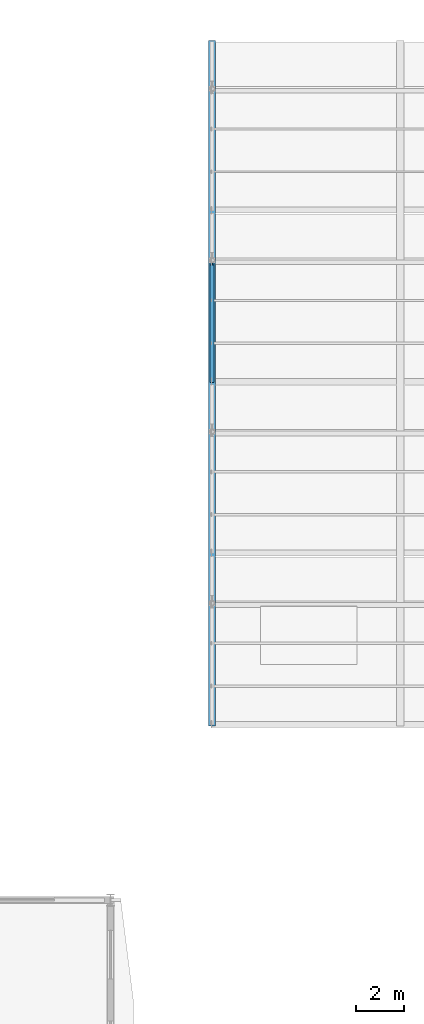
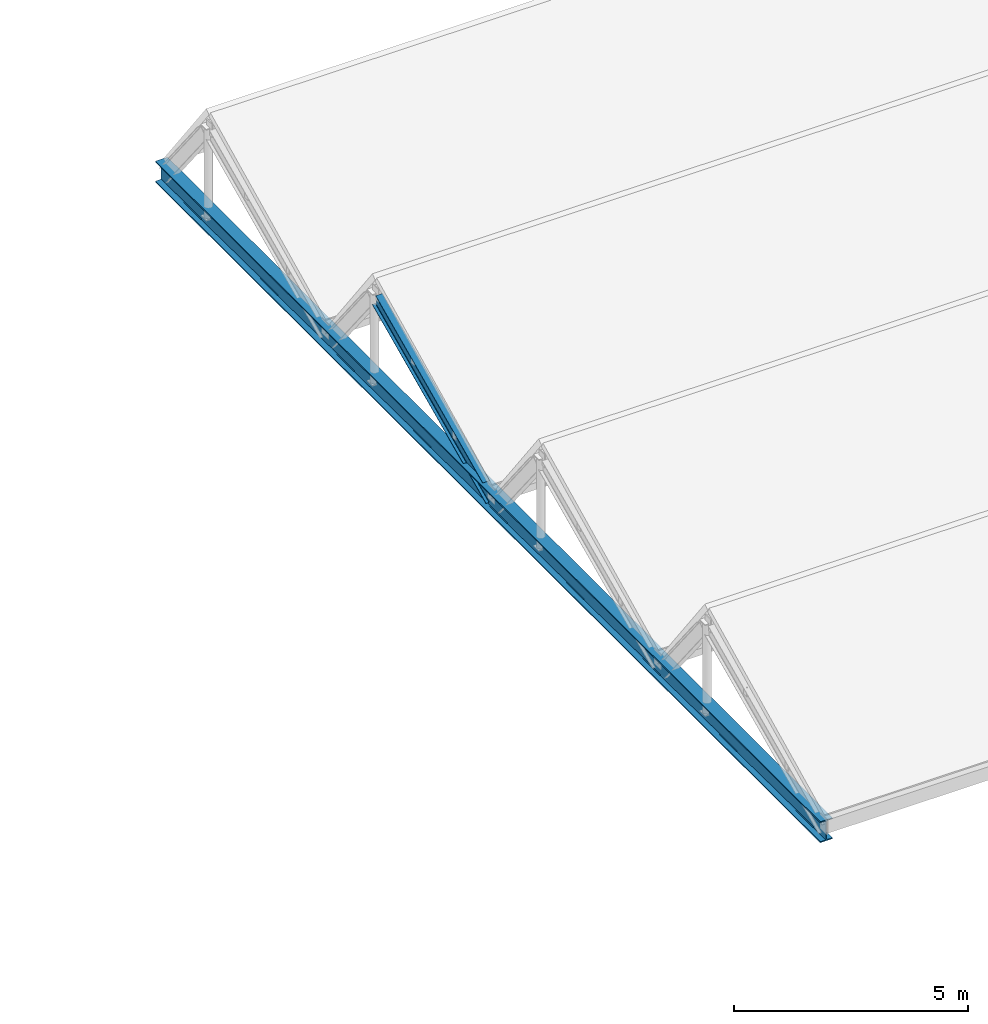
# One storey, part 71 of 138: 2 beams.
"""IFC4 building model written with IfcOpenShell, lengths in metres."""

from ifc_helpers import new_model, si_unit, direction, frame, origin, origin_2d, place, context, subcontext, project, spatial, i_section, extrude, material, material_profile, profile_set, type_object, element, save


model = new_model("IFC4")

# Units and contexts
model_context = context("Model", 3, precision=1e-05, world=origin(), true_north=direction((0.0, 1.0)))
body_context = subcontext(model_context, "Body", "Model", "MODEL_VIEW")
ifc_project = project(units=[si_unit("LENGTHUNIT", "METRE"), si_unit("AREAUNIT", "SQUARE_METRE"), si_unit("VOLUMEUNIT", "CUBIC_METRE"), si_unit("PLANEANGLEUNIT", "RADIAN"), si_unit("MASSUNIT", "GRAM", prefix="KILO")], contexts=[model_context])

# Site, building, storey
site_placement = place(None, origin())
site = spatial("IfcSite", under=ifc_project, at=site_placement, CompositionType="ELEMENT")
building_placement = place(site_placement, origin())
building = spatial("IfcBuilding", under=site, at=building_placement, Name="Vinh Khe Railworks Police Headquarters", CompositionType="ELEMENT")
storey_placement = place(building_placement, frame((0.0, 0.0, 9.0)))
storey = spatial("IfcBuildingStorey", under=building, at=storey_placement, Name="L02", CompositionType="ELEMENT", Elevation=9.0)

# Beams
ifc_material = material(Name="Steel S355JR", Category="steel")
ifc_material_profile_1 = material_profile(ifc_material, i_section(OverallWidth=0.300048828125, OverallDepth=0.550048828125, WebThickness=0.014892578125, FlangeThickness=0.029052734375, FilletRadius=0.027099609375, at=origin_2d()), Name="HEB 550")
ifc_profile_set_1 = profile_set([ifc_material_profile_1], Name="Steel S355JR")
beam_type_1 = type_object("IfcBeamType", Name="Steel Girder HEB 550", PredefinedType="BEAM", material=ifc_profile_set_1)
beam_1_placement = place(storey_placement, frame((26.39990234375, 138.0, 0.199951171875), z_axis=(0.0, 1.0, 0.0), x_axis=(-1.0, 0.0, 0.0)))
element("IfcBeam", 1, at=beam_1_placement, inside=storey, type_object=beam_type_1, Name="Sawtooth Carrier Girder X=26.4", PredefinedType="BEAM", context=body_context, shape_type="SweptSolid", body=[
    extrude(i_section(OverallWidth=0.300048828125, OverallDepth=0.550048828125, WebThickness=0.014892578125, FlangeThickness=0.029052734375, FilletRadius=0.027099609375, at=origin_2d()), origin(), (0.0, 0.0, 1.0), 28.39990234375),
])
ifc_material_profile_2 = material_profile(ifc_material, i_section(OverallWidth=0.169921875, OverallDepth=0.360107421875, WebThickness=0.008056640625, FlangeThickness=0.0126953125, FilletRadius=0.01806640625, at=origin_2d()), Name="IPE 360")
ifc_profile_set_2 = profile_set([ifc_material_profile_2], Name="Steel S355JR")
beam_type_2 = type_object("IfcBeamType", Name="Steel Girder IPE 360", PredefinedType="BEAM", material=ifc_profile_set_2)
beam_2_placement = place(storey_placement, frame((26.39990234375, 152.320068359375, 0.179931640625), z_axis=(0.0, 0.908174250162, 0.418592321171), x_axis=(-1.0, 0.0, 0.0)))
element("IfcBeam", 2, at=beam_2_placement, inside=storey, type_object=beam_type_2, Name="Sawtooth Slope Girder 3S", PredefinedType="BEAM", context=body_context, shape_type="SweptSolid", body=[
    extrude(i_section(OverallWidth=0.169921875, OverallDepth=0.360107421875, WebThickness=0.008056640625, FlangeThickness=0.0126953125, FilletRadius=0.01806640625, at=origin_2d()), origin(), (0.0, 0.0, 1.0), 5.351318359375),
])

save(model, "model.ifc")
